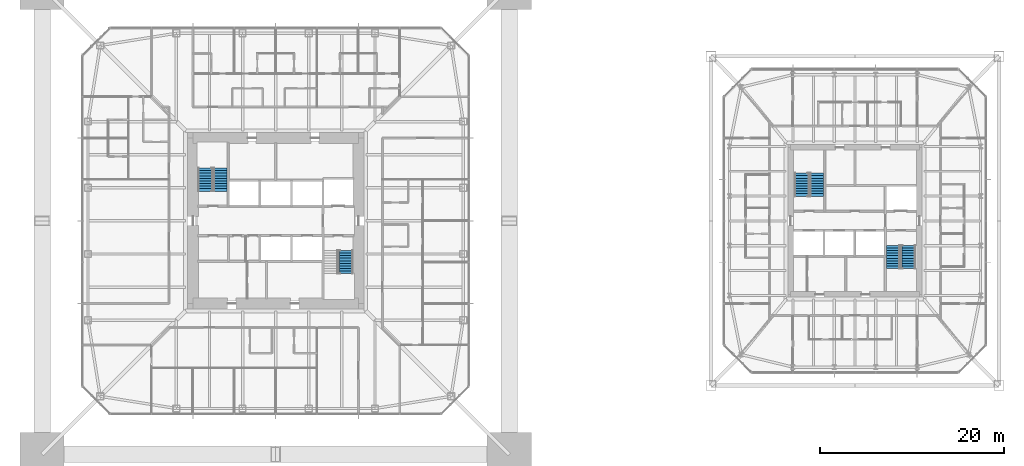
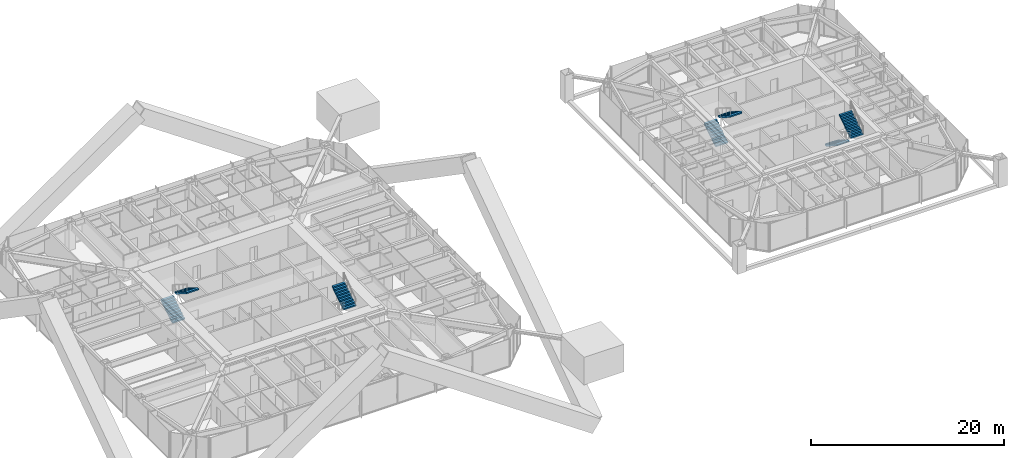
# One storey, part 21 of 26: 7 stair flights, 4 elements without a shape of their own.
"""IFC4 building model written with IfcOpenShell, lengths in metres."""

from ifc_helpers import new_model, si_unit, direction, frame, origin, place, context, subcontext, project, spatial, polyline, outline, extrude, material, constituent, constituent_set, type_object, element, aggregate, save


model = new_model("IFC4")

# Units and contexts
model_context = context("Model", 3, precision=1e-05, world=origin(), true_north=direction((0.0, 1.0)))
body_context = subcontext(model_context, "Body", "Model", "MODEL_VIEW")
ifc_project = project(units=[si_unit("LENGTHUNIT", "METRE"), si_unit("AREAUNIT", "SQUARE_METRE"), si_unit("VOLUMEUNIT", "CUBIC_METRE"), si_unit("PLANEANGLEUNIT", "RADIAN"), si_unit("MASSUNIT", "GRAM", prefix="KILO")], contexts=[model_context])

# Site, building, storey
site_placement = place(None, origin())
site = spatial("IfcSite", under=ifc_project, at=site_placement, CompositionType="ELEMENT")
building_placement = place(site_placement, origin())
building = spatial("IfcBuilding", under=site, at=building_placement, Name="Iwan Alto Co-Living Towers", CompositionType="ELEMENT")
storey_placement = place(building_placement, frame((0.0, 0.0, 115.5)))
storey = spatial("IfcBuildingStorey", under=building, at=storey_placement, Name="L31", CompositionType="ELEMENT", Elevation=115.5)

# Stair, stair flights
ifc_material_1 = material(Name="Steel ASTM A36", Category="steel")
ifc_constituent_1 = constituent(ifc_material_1, Name="Stringers", Category="LoadBearing")
ifc_material_2 = material(Name="Concrete f'c 30 MPa", Category="concrete")
ifc_constituent_2 = constituent(ifc_material_2, Name="Tread fill", Category="Finish")
ifc_constituent_set_1 = constituent_set(constituents=[ifc_constituent_1, ifc_constituent_2], Name="STAIR 3500 TWO-FLIGHT T1 CORE")
stair_type_1 = type_object("IfcStairType", Name="STAIR 3500 TWO-FLIGHT T1 CORE", PredefinedType="HALF_TURN_STAIR", material=ifc_constituent_set_1)
stair_1_placement = place(storey_placement, origin())
stair_1 = element("IfcStair", 1, at=stair_1_placement, inside=storey, type_object=stair_type_1, Name="Stair T1-S1 L31 to L32", PredefinedType="HALF_TURN_STAIR")
ifc_constituent_3 = constituent(ifc_material_1, Name="Stringers", Category="LoadBearing")
ifc_constituent_4 = constituent(ifc_material_2, Name="Tread fill", Category="Finish")
ifc_constituent_set_2 = constituent_set(constituents=[ifc_constituent_3, ifc_constituent_4], Name="STAIR FLIGHT 10 RISERS 280 GOING")
stair_flight_type = type_object("IfcStairFlightType", Name="STAIR FLIGHT 10 RISERS 280 GOING", PredefinedType="STRAIGHT", material=ifc_constituent_set_2)
stair_flight_1_placement = place(storey_placement, frame((-7.68994140625, 3.219970703125, 0.0), z_axis=(0.0, 0.0, 1.0), x_axis=(0.0, 1.0, 0.0)))
stair_flight_1 = element("IfcStairFlight", 2, at=stair_flight_1_placement, type_object=stair_flight_type, Name="T1-S1 flight 1", NumberOfRisers=10, NumberOfTreads=9, PredefinedType="STRAIGHT", RiserHeight=0.175, TreadLength=0.28, context=body_context, shape_type="SweptSolid", body=[
    extrude(outline(polyline([(0.0, 0.0), (0.0, 0.175048828125), (0.280029296875, 0.175048828125), (0.280029296875, 0.35009765625), (0.56005859375, 0.35009765625), (0.56005859375, 0.52490234375), (0.840087890625, 0.52490234375), (0.840087890625, 0.699951171875), (1.1201171875, 0.699951171875), (1.1201171875, 0.875), (1.39990234375, 0.875), (1.39990234375, 1.050048828125), (1.679931640625, 1.050048828125), (1.679931640625, 1.22509765625), (1.9599609375, 1.22509765625), (1.9599609375, 1.39990234375), (2.239990234375, 1.39990234375), (2.239990234375, 1.574951171875), (2.52001953125, 1.574951171875), (2.52001953125, 1.75), (2.52001953125, 1.398193359375), (0.28271484375, 0.0), (0.0, 0.0)])), frame((0.0, 0.739990234375, 0.0), z_axis=(0.0, -1.0, 0.0), x_axis=(1.0, 0.0, 0.0)), (0.0, 0.0, 1.0), 1.47998046875),
])
stair_flight_2_placement = place(storey_placement, frame((-6.010009765625, 5.739990234375, 1.75), z_axis=(0.0, 0.0, 1.0), x_axis=(0.0, -1.0, 0.0)))
stair_flight_2 = element("IfcStairFlight", 3, at=stair_flight_2_placement, type_object=stair_flight_type, Name="T1-S1 flight 2", NumberOfRisers=10, NumberOfTreads=9, PredefinedType="STRAIGHT", RiserHeight=0.175, TreadLength=0.28, context=body_context, shape_type="SweptSolid", body=[
    extrude(outline(polyline([(0.0, 0.0), (0.0, 0.175048828125), (0.280029296875, 0.175048828125), (0.280029296875, 0.35009765625), (0.56005859375, 0.35009765625), (0.56005859375, 0.52490234375), (0.840087890625, 0.52490234375), (0.840087890625, 0.699951171875), (1.1201171875, 0.699951171875), (1.1201171875, 0.875), (1.39990234375, 0.875), (1.39990234375, 1.050048828125), (1.679931640625, 1.050048828125), (1.679931640625, 1.22509765625), (1.9599609375, 1.22509765625), (1.9599609375, 1.39990234375), (2.239990234375, 1.39990234375), (2.239990234375, 1.574951171875), (2.52001953125, 1.574951171875), (2.52001953125, 1.75), (2.52001953125, 1.398193359375), (0.28271484375, 0.0), (0.0, 0.0)])), frame((0.0, 0.739990234375, 0.0), z_axis=(0.0, -1.0, 0.0), x_axis=(1.0, 0.0, 0.0)), (0.0, 0.0, 1.0), 1.47998046875),
])
aggregate(stair_1, [stair_flight_1, stair_flight_2])

# Stair, stair flight
stair_2_placement = place(storey_placement, origin())
stair_2 = element("IfcStair", 4, at=stair_2_placement, inside=storey, type_object=stair_type_1, Name="Stair T1-S2 L31 to L32", PredefinedType="HALF_TURN_STAIR")
stair_flight_3_placement = place(storey_placement, frame((7.68994140625, -5.739990234375, 1.75), z_axis=(0.0, 0.0, 1.0), x_axis=(0.0, 1.0, 0.0)))
stair_flight_3 = element("IfcStairFlight", 5, at=stair_flight_3_placement, type_object=stair_flight_type, Name="T1-S2 flight 2", NumberOfRisers=10, NumberOfTreads=9, PredefinedType="STRAIGHT", RiserHeight=0.175, TreadLength=0.28, context=body_context, shape_type="SweptSolid", body=[
    extrude(outline(polyline([(0.0, 0.0), (0.0, 0.175048828125), (0.280029296875, 0.175048828125), (0.280029296875, 0.35009765625), (0.56005859375, 0.35009765625), (0.56005859375, 0.52490234375), (0.840087890625, 0.52490234375), (0.840087890625, 0.699951171875), (1.1201171875, 0.699951171875), (1.1201171875, 0.875), (1.39990234375, 0.875), (1.39990234375, 1.050048828125), (1.679931640625, 1.050048828125), (1.679931640625, 1.22509765625), (1.9599609375, 1.22509765625), (1.9599609375, 1.39990234375), (2.239990234375, 1.39990234375), (2.239990234375, 1.574951171875), (2.52001953125, 1.574951171875), (2.52001953125, 1.75), (2.52001953125, 1.398193359375), (0.28271484375, 0.0), (0.0, 0.0)])), frame((0.0, 0.739990234375, 0.0), z_axis=(0.0, -1.0, 0.0), x_axis=(1.0, 0.0, 0.0)), (0.0, 0.0, 1.0), 1.47998046875),
])
aggregate(stair_2, [stair_flight_3])

# Stair, stair flights
ifc_constituent_5 = constituent(ifc_material_1, Name="Stringers", Category="LoadBearing")
ifc_constituent_6 = constituent(ifc_material_2, Name="Tread fill", Category="Finish")
ifc_constituent_set_3 = constituent_set(constituents=[ifc_constituent_5, ifc_constituent_6], Name="STAIR 3500 TWO-FLIGHT T2 CORE")
stair_type_2 = type_object("IfcStairType", Name="STAIR 3500 TWO-FLIGHT T2 CORE", PredefinedType="HALF_TURN_STAIR", material=ifc_constituent_set_3)
stair_3_placement = place(storey_placement, origin())
stair_3 = element("IfcStair", 6, at=stair_3_placement, inside=storey, type_object=stair_type_2, Name="Stair T2-S1 L31 to L32", PredefinedType="HALF_TURN_STAIR")
stair_flight_4_placement = place(storey_placement, frame((57.159912109375, 2.669921875, 0.0), z_axis=(0.0, 0.0, 1.0), x_axis=(0.0, 1.0, 0.0)))
stair_flight_4 = element("IfcStairFlight", 7, at=stair_flight_4_placement, type_object=stair_flight_type, Name="T2-S1 flight 1", NumberOfRisers=10, NumberOfTreads=9, PredefinedType="STRAIGHT", RiserHeight=0.175, TreadLength=0.28, context=body_context, shape_type="SweptSolid", body=[
    extrude(outline(polyline([(0.0, 0.0), (0.0, 0.175048828125), (0.280029296875, 0.175048828125), (0.280029296875, 0.35009765625), (0.56005859375, 0.35009765625), (0.56005859375, 0.52490234375), (0.840087890625, 0.52490234375), (0.840087890625, 0.699951171875), (1.1201171875, 0.699951171875), (1.1201171875, 0.875), (1.39990234375, 0.875), (1.39990234375, 1.050048828125), (1.679931640625, 1.050048828125), (1.679931640625, 1.22509765625), (1.9599609375, 1.22509765625), (1.9599609375, 1.39990234375), (2.239990234375, 1.39990234375), (2.239990234375, 1.574951171875), (2.52001953125, 1.574951171875), (2.52001953125, 1.75), (2.52001953125, 1.398193359375), (0.28271484375, 0.0), (0.0, 0.0)])), frame((0.0, 0.739990234375, 0.0), z_axis=(0.0, -1.0, 0.0), x_axis=(1.0, 0.0, 0.0)), (0.0, 0.0, 1.0), 1.47998046875),
])
stair_flight_5_placement = place(storey_placement, frame((58.840087890625, 5.18994140625, 1.75), z_axis=(0.0, 0.0, 1.0), x_axis=(0.0, -1.0, 0.0)))
stair_flight_5 = element("IfcStairFlight", 8, at=stair_flight_5_placement, type_object=stair_flight_type, Name="T2-S1 flight 2", NumberOfRisers=10, NumberOfTreads=9, PredefinedType="STRAIGHT", RiserHeight=0.175, TreadLength=0.28, context=body_context, shape_type="SweptSolid", body=[
    extrude(outline(polyline([(0.0, 0.0), (0.0, 0.175048828125), (0.280029296875, 0.175048828125), (0.280029296875, 0.35009765625), (0.56005859375, 0.35009765625), (0.56005859375, 0.52490234375), (0.840087890625, 0.52490234375), (0.840087890625, 0.699951171875), (1.1201171875, 0.699951171875), (1.1201171875, 0.875), (1.39990234375, 0.875), (1.39990234375, 1.050048828125), (1.679931640625, 1.050048828125), (1.679931640625, 1.22509765625), (1.9599609375, 1.22509765625), (1.9599609375, 1.39990234375), (2.239990234375, 1.39990234375), (2.239990234375, 1.574951171875), (2.52001953125, 1.574951171875), (2.52001953125, 1.75), (2.52001953125, 1.398193359375), (0.28271484375, 0.0), (0.0, 0.0)])), frame((0.0, 0.739990234375, 0.0), z_axis=(0.0, -1.0, 0.0), x_axis=(1.0, 0.0, 0.0)), (0.0, 0.0, 1.0), 1.47998046875),
])
aggregate(stair_3, [stair_flight_4, stair_flight_5])

stair_4_placement = place(storey_placement, origin())
stair_4 = element("IfcStair", 9, at=stair_4_placement, inside=storey, type_object=stair_type_2, Name="Stair T2-S2 L31 to L32", PredefinedType="HALF_TURN_STAIR")
stair_flight_6_placement = place(storey_placement, frame((67.159912109375, -2.669921875, 0.0), z_axis=(0.0, 0.0, 1.0), x_axis=(0.0, -1.0, 0.0)))
stair_flight_6 = element("IfcStairFlight", 10, at=stair_flight_6_placement, type_object=stair_flight_type, Name="T2-S2 flight 1", NumberOfRisers=10, NumberOfTreads=9, PredefinedType="STRAIGHT", RiserHeight=0.175, TreadLength=0.28, context=body_context, shape_type="SweptSolid", body=[
    extrude(outline(polyline([(0.0, 0.0), (0.0, 0.175048828125), (0.280029296875, 0.175048828125), (0.280029296875, 0.35009765625), (0.56005859375, 0.35009765625), (0.56005859375, 0.52490234375), (0.840087890625, 0.52490234375), (0.840087890625, 0.699951171875), (1.1201171875, 0.699951171875), (1.1201171875, 0.875), (1.39990234375, 0.875), (1.39990234375, 1.050048828125), (1.679931640625, 1.050048828125), (1.679931640625, 1.22509765625), (1.9599609375, 1.22509765625), (1.9599609375, 1.39990234375), (2.239990234375, 1.39990234375), (2.239990234375, 1.574951171875), (2.52001953125, 1.574951171875), (2.52001953125, 1.75), (2.52001953125, 1.398193359375), (0.28271484375, 0.0), (0.0, 0.0)])), frame((0.0, 0.739990234375, 0.0), z_axis=(0.0, -1.0, 0.0), x_axis=(1.0, 0.0, 0.0)), (0.0, 0.0, 1.0), 1.47998046875),
])
stair_flight_7_placement = place(storey_placement, frame((68.840087890625, -5.18994140625, 1.75), z_axis=(0.0, 0.0, 1.0), x_axis=(0.0, 1.0, 0.0)))
stair_flight_7 = element("IfcStairFlight", 11, at=stair_flight_7_placement, type_object=stair_flight_type, Name="T2-S2 flight 2", NumberOfRisers=10, NumberOfTreads=9, PredefinedType="STRAIGHT", RiserHeight=0.175, TreadLength=0.28, context=body_context, shape_type="SweptSolid", body=[
    extrude(outline(polyline([(0.0, 0.0), (0.0, 0.175048828125), (0.280029296875, 0.175048828125), (0.280029296875, 0.35009765625), (0.56005859375, 0.35009765625), (0.56005859375, 0.52490234375), (0.840087890625, 0.52490234375), (0.840087890625, 0.699951171875), (1.1201171875, 0.699951171875), (1.1201171875, 0.875), (1.39990234375, 0.875), (1.39990234375, 1.050048828125), (1.679931640625, 1.050048828125), (1.679931640625, 1.22509765625), (1.9599609375, 1.22509765625), (1.9599609375, 1.39990234375), (2.239990234375, 1.39990234375), (2.239990234375, 1.574951171875), (2.52001953125, 1.574951171875), (2.52001953125, 1.75), (2.52001953125, 1.398193359375), (0.28271484375, 0.0), (0.0, 0.0)])), frame((0.0, 0.739990234375, 0.0), z_axis=(0.0, -1.0, 0.0), x_axis=(1.0, 0.0, 0.0)), (0.0, 0.0, 1.0), 1.47998046875),
])
aggregate(stair_4, [stair_flight_6, stair_flight_7])

save(model, "model.ifc")
